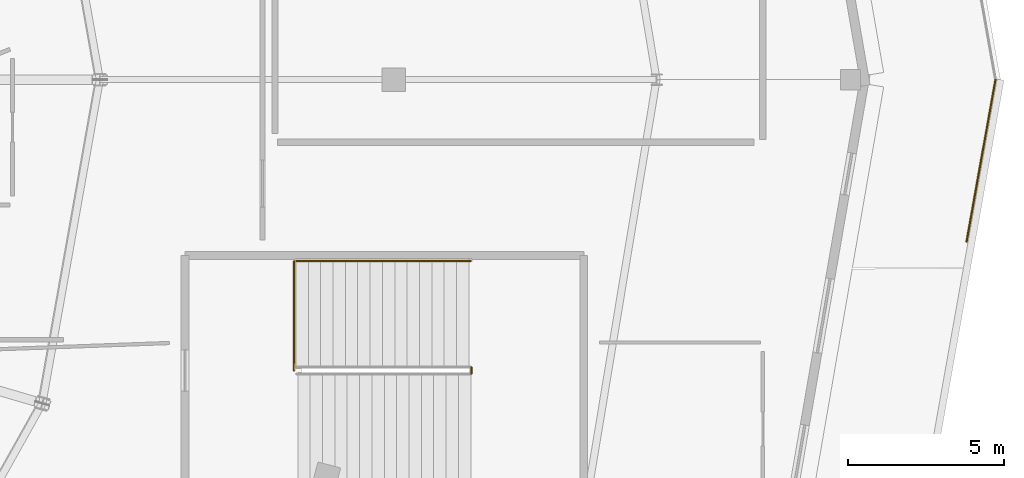
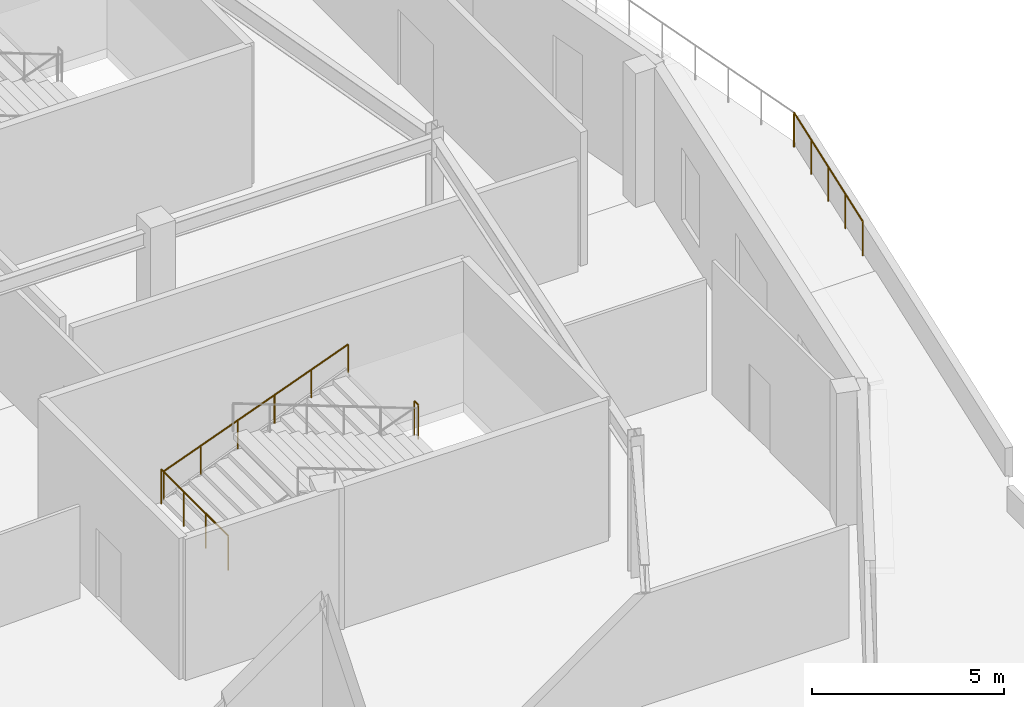
# One storey, part 61 of 63: 4 railings.
"""IFC4 building model written with IfcOpenShell, lengths in metres."""

from ifc_helpers import new_model, si_unit, direction, frame, origin, origin_2d, place, context, subcontext, project, spatial, circle, extrude, material, type_object, element, save


model = new_model("IFC4")

# Units and contexts
model_context = context("Model", 3, precision=1e-05, world=origin(), true_north=direction((0.0, 1.0)))
body_context = subcontext(model_context, "Body", "Model", "MODEL_VIEW")
ifc_project = project(units=[si_unit("LENGTHUNIT", "METRE"), si_unit("AREAUNIT", "SQUARE_METRE"), si_unit("VOLUMEUNIT", "CUBIC_METRE"), si_unit("PLANEANGLEUNIT", "RADIAN"), si_unit("MASSUNIT", "GRAM", prefix="KILO")], contexts=[model_context])

# Site, building, storey
site_placement = place(None, origin())
site = spatial("IfcSite", under=ifc_project, at=site_placement, CompositionType="ELEMENT")
building_placement = place(site_placement, origin())
building = spatial("IfcBuilding", under=site, at=building_placement, Name="Kalgoora Escarpment Arena", CompositionType="ELEMENT")
storey_placement = place(building_placement, frame((0.0, 0.0, 14.39990234375)))
storey = spatial("IfcBuildingStorey", under=building, at=storey_placement, Name="L03", CompositionType="ELEMENT", Elevation=14.39990234375)

# Railings
ifc_material_1 = material(Name="Galvanised & powdercoated tubular steel", Category="steel")
railing_type_1 = type_object("IfcRailingType", Name="RAL-GUARD-1120", PredefinedType="GUARDRAIL", material=ifc_material_1)
railing_1_placement = place(storey_placement, frame((158.280029296875, 54.800048828125, 2.25)))
element("IfcRailing", 1, at=railing_1_placement, inside=storey, type_object=railing_type_1, Name="ST22 L03 half-landing well guard", PredefinedType="GUARDRAIL", context=body_context, shape_type="SweptSolid", body=[
    extrude(circle(Radius=0.02392578125, at=origin_2d()), frame((0.0, 0.0, 1.09619140625), z_axis=(0.0, -1.0, 0.0), x_axis=(1.0, 0.0, 0.0)), (0.0, 0.0, 1.0), 0.199951171875),
    extrude(circle(Radius=0.02099609375, at=origin_2d()), origin(), (0.0, 0.0, 1.0), 1.072021484375),
    extrude(circle(Radius=0.02099609375, at=origin_2d()), frame((0.0, -0.199951171875, 0.0)), (0.0, 0.0, 1.0), 1.072021484375),
])
railing_2_placement = place(storey_placement, frame((152.610107421875, 58.18994140625, 0.0)))
element("IfcRailing", 2, at=railing_2_placement, inside=storey, type_object=railing_type_1, Name="ST22 L03 floor landing well guard", PredefinedType="GUARDRAIL", context=body_context, shape_type="SweptSolid", body=[
    extrude(circle(Radius=0.02392578125, at=origin_2d()), frame((0.0, 0.0, 1.09619140625), z_axis=(0.0, -1.0, 0.0), x_axis=(1.0, 0.0, 0.0)), (0.0, 0.0, 1.0), 3.489990234375),
    extrude(circle(Radius=0.02099609375, at=origin_2d()), origin(), (0.0, 0.0, 1.0), 1.072021484375),
    extrude(circle(Radius=0.02099609375, at=origin_2d()), frame((0.0, -1.163330078125, 0.0)), (0.0, 0.0, 1.0), 1.072021484375),
    extrude(circle(Radius=0.02099609375, at=origin_2d()), frame((0.0, -2.32666015625, 0.0)), (0.0, 0.0, 1.0), 1.072021484375),
    extrude(circle(Radius=0.02099609375, at=origin_2d()), frame((0.0, -3.489990234375, 0.0)), (0.0, 0.0, 1.0), 1.072021484375),
])
ifc_material_2 = material(Name="Brushed stainless steel 316 handrail", Category="steel")
railing_type_2 = type_object("IfcRailingType", Name="RAL-HAND-920", PredefinedType="HANDRAIL", material=ifc_material_2)
railing_3_placement = place(storey_placement, frame((152.68994140625, 58.199951171875, 0.110107421875)))
element("IfcRailing", 3, at=railing_3_placement, inside=storey, type_object=railing_type_2, Name="ST22 L03 pitched stair handrail F1L", PredefinedType="HANDRAIL", context=body_context, shape_type="SweptSolid", body=[
    extrude(circle(Radius=0.02392578125, at=origin_2d()), frame((0.0, 0.0, 0.89599609375), z_axis=(0.935492612948, 0.0, 0.353346248203), x_axis=(0.0, 1.0, 0.0)), (0.0, 0.0, 1.0), 5.943359375),
    extrude(circle(Radius=0.02099609375, at=origin_2d()), origin(), (0.0, 0.0, 1.0), 0.871826171875),
    extrude(circle(Radius=0.02099609375, at=origin_2d()), frame((1.112060546875, 0.0, 0.419921875)), (0.0, 0.0, 1.0), 0.871826171875),
    extrude(circle(Radius=0.02099609375, at=origin_2d()), frame((2.22412109375, 0.0, 0.840087890625)), (0.0, 0.0, 1.0), 0.871826171875),
    extrude(circle(Radius=0.02099609375, at=origin_2d()), frame((3.3359375, 0.0, 1.260009765625)), (0.0, 0.0, 1.0), 0.871826171875),
    extrude(circle(Radius=0.02099609375, at=origin_2d()), frame((4.447998046875, 0.0, 1.68017578125)), (0.0, 0.0, 1.0), 0.871826171875),
    extrude(circle(Radius=0.02099609375, at=origin_2d()), frame((5.56005859375, 0.0, 2.10009765625)), (0.0, 0.0, 1.0), 0.871826171875),
])
ifc_material_3 = material(Name="Champagne anodised aluminium & laminated glass", Category="aluminium")
railing_type_3 = type_object("IfcRailingType", Name="RAL-TERR-1100", PredefinedType="GUARDRAIL", material=ifc_material_3)
railing_4_placement = place(storey_placement, frame((175.03759765625, 64.0, 0.0)))
element("IfcRailing", 4, at=railing_4_placement, inside=storey, type_object=railing_type_3, Name="Upper Planted Elliptical Garden Terrace perimeter guardrail 023", PredefinedType="GUARDRAIL", context=body_context, shape_type="SweptSolid", body=[
    extrude(circle(Radius=0.02392578125, at=origin_2d()), frame((0.0, 0.0, 1.09619140625), z_axis=(-0.175356532906, -0.984504995603, 0.0), x_axis=(0.984504995603, -0.175356532906, 0.0)), (0.0, 0.0, 1.0), 5.255859375),
    extrude(circle(Radius=0.02099609375, at=origin_2d()), origin(), (0.0, 0.0, 1.0), 1.072021484375),
    extrude(circle(Radius=0.02099609375, at=origin_2d()), frame((-0.23046875, -1.29345703125, 0.0)), (0.0, 0.0, 1.0), 1.072021484375),
    extrude(circle(Radius=0.02099609375, at=origin_2d()), frame((-0.4609375, -2.587158203125, 0.0)), (0.0, 0.0, 1.0), 1.072021484375),
    extrude(circle(Radius=0.02099609375, at=origin_2d()), frame((-0.691162109375, -3.880859375, 0.0)), (0.0, 0.0, 1.0), 1.072021484375),
    extrude(circle(Radius=0.02099609375, at=origin_2d()), frame((-0.921630859375, -5.17431640625, 0.0)), (0.0, 0.0, 1.0), 1.072021484375),
])

save(model, "model.ifc")
